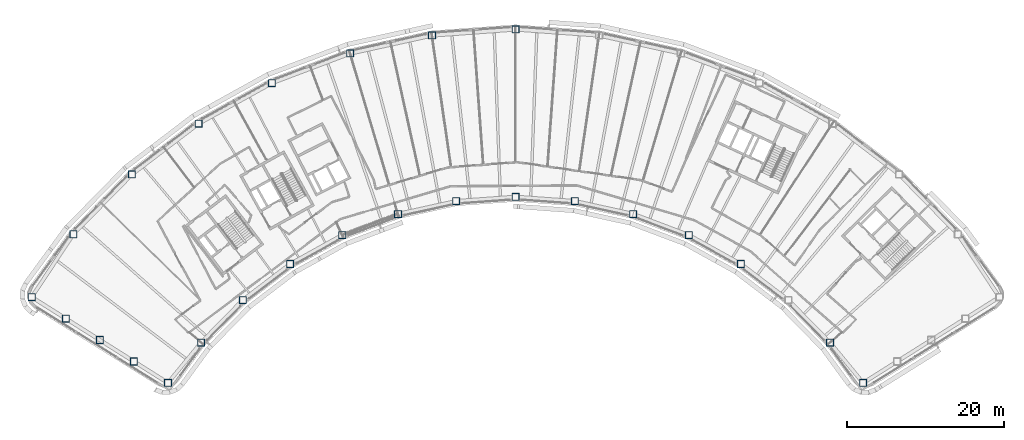
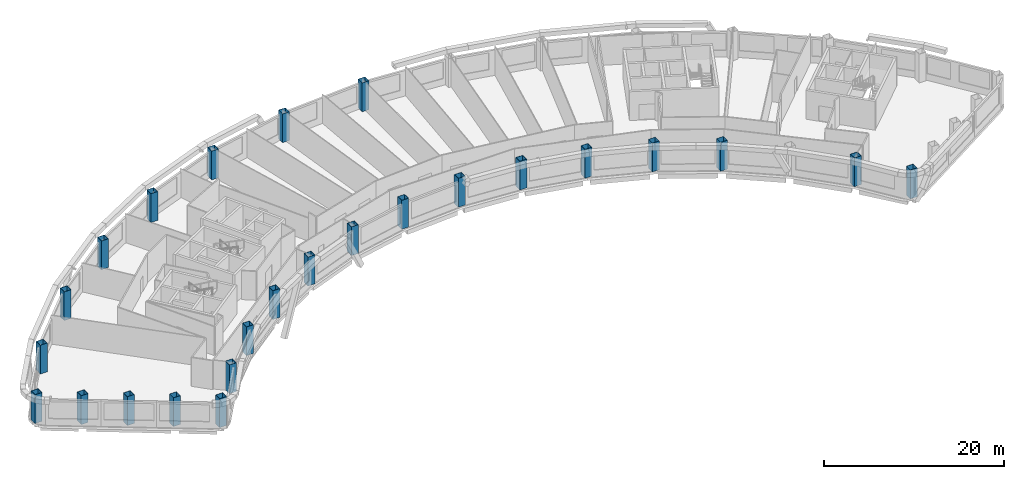
# One storey, part 1 of 16: 25 columns.
"""IFC4 building model written with IfcOpenShell, lengths in metres."""

from ifc_helpers import new_model, si_unit, direction, frame, origin, origin_2d, place, context, subcontext, project, spatial, hollow_rectangle, extrude, material, material_profile, profile_set, type_object, element, save


model = new_model("IFC4")

# Units and contexts
model_context = context("Model", 3, precision=1e-05, world=origin(), true_north=direction((0.0, 1.0)))
body_context = subcontext(model_context, "Body", "Model", "MODEL_VIEW")
ifc_project = project(units=[si_unit("LENGTHUNIT", "METRE"), si_unit("AREAUNIT", "SQUARE_METRE"), si_unit("VOLUMEUNIT", "CUBIC_METRE"), si_unit("PLANEANGLEUNIT", "RADIAN"), si_unit("MASSUNIT", "GRAM", prefix="KILO")], contexts=[model_context])

# Site, building, storey
site_placement = place(None, origin())
site = spatial("IfcSite", under=ifc_project, at=site_placement, CompositionType="ELEMENT")
building_placement = place(site_placement, origin())
building = spatial("IfcBuilding", under=site, at=building_placement, Name="Tuul Gate Civic Tower", CompositionType="ELEMENT")
storey_placement = place(building_placement, frame((0.0, 0.0, 184.699951171875)))
storey = spatial("IfcBuildingStorey", under=building, at=storey_placement, Name="Level 42", CompositionType="ELEMENT", Elevation=184.699951171875)

# Columns
ifc_material = material(Name="Steel S355", Category="steel")
ifc_material_profile = material_profile(ifc_material, hollow_rectangle(XDim=0.89990234375, YDim=0.89990234375, WallThickness=0.031982421875, at=origin_2d()), Name="BOX900x900x32")
ifc_profile_set = profile_set([ifc_material_profile], Name="Steel S355")
column_type = type_object("IfcColumnType", Name="STR-COLUMN-BOX900x900x32", PredefinedType="COLUMN", material=ifc_profile_set)
for number, where, z_axis, x_axis, name in (
    (1, (0.989990234375, 13.615966796875, 0.0), (0.0, 0.0, 1.0), (1.0, 0.0, 0.0), "Column"),
    (2, (-9.659912109375, 12.843994140625, 0.0), (0.0, 0.0, 1.0), (1.0, 0.0, 0.0), "Column"),
    (3, (-20.0869140625, 10.5458984375, 0.0), (0.0, 0.0, 1.0), (1.0, 0.0, 0.0), "Column"),
    (4, (-30.073974609375, 6.77001953125, 0.0), (0.0, 0.0, 1.0), (1.0, 0.0, 0.0), "Column"),
    (5, (-39.412109375, 1.593017578125, 0.0), (0.0, 0.0, 1.0), (1.0, 0.0, 0.0), "Column"),
    (6, (-47.907958984375, -4.875, 0.0), (0.0, 0.0, 1.0), (1.0, 0.0, 0.0), "Column"),
    (7, (-55.382080078125, -12.5, 0.0), (0.0, 0.0, 1.0), (1.0, 0.0, 0.0), "Column"),
    (8, (-60.680908203125, -20.512939453125, 0.0), (0.0, 0.0, 1.0), (1.0, 0.0, 0.0), "Column"),
    (9, (-56.339111328125, -23.2470703125, 0.0), (0.0, 0.0, 1.0), (1.0, 0.0, 0.0), "Column"),
    (10, (-51.99609375, -25.98193359375, 0.0), (0.0, 0.0, 1.0), (1.0, 0.0, 0.0), "Column"),
    (11, (-47.654052734375, -28.716064453125, 0.0), (0.0, 0.0, 1.0), (1.0, 0.0, 0.0), "Column"),
    (12, (-43.31103515625, -31.450927734375, 0.0), (0.0, 0.0, 1.0), (1.0, 0.0, 0.0), "Column"),
    (13, (-39.091064453125, -26.30908203125, 0.0), (0.0, 0.0, 1.0), (1.0, 0.0, 0.0), "Column"),
    (14, (-33.777099609375, -20.886962890625, 0.0), (0.0, 0.0, 1.0), (1.0, 0.0, 0.0), "Column"),
    (15, (-27.737060546875, -16.2880859375, 0.0), (0.0, 0.0, 1.0), (1.0, 0.0, 0.0), "Column"),
    (16, (-21.096923828125, -12.60791015625, 0.0), (0.0, 0.0, 1.0), (1.0, 0.0, 0.0), "Column"),
    (17, (-13.99609375, -9.923095703125, 0.0), (0.0, 0.0, 1.0), (1.0, 0.0, 0.0), "Column"),
    (18, (-6.58203125, -8.2890625, 0.0), (0.0, 0.0, 1.0), (1.0, 0.0, 0.0), "Column"),
    (19, (0.989990234375, -7.739990234375, 0.0), (0.0, 0.0, 1.0), (1.0, 0.0, 0.0), "Column"),
    (20, (8.56201171875, -8.2890625, 0.0), (0.0, 0.0, 1.0), (1.0, 0.0, 0.0), "Column"),
    (21, (15.97607421875, -9.923095703125, 0.0), (0.0, 0.0, 1.0), (1.0, 0.0, 0.0), "Column"),
    (22, (23.076904296875, -12.60791015625, 0.0), (0.0, 0.0, 1.0), (1.0, 0.0, 0.0), "Column"),
    (23, (29.716064453125, -16.2880859375, 0.0), (0.0, 0.0, 1.0), (1.0, 0.0, 0.0), "Column"),
    (24, (41.071044921875, -26.30908203125, 0.0), (0.0, 0.0, 1.0), (1.0, 0.0, 0.0), "Column"),
    (25, (45.291015625, -31.450927734375, 0.0), (0.0, 0.0, 1.0), (1.0, 0.0, 0.0), "Column"),
):
    element("IfcColumn", number, at=place(storey_placement, frame(where, z_axis=z_axis, x_axis=x_axis)), inside=storey, type_object=column_type, Name=name, PredefinedType="COLUMN", context=body_context, shape_type="SweptSolid", body=[
        extrude(hollow_rectangle(XDim=0.89990234375, YDim=0.89990234375, WallThickness=0.031982421875, at=origin_2d()), origin(), (0.0, 0.0, 1.0), 3.900146484375),
    ])

save(model, "model.ifc")
